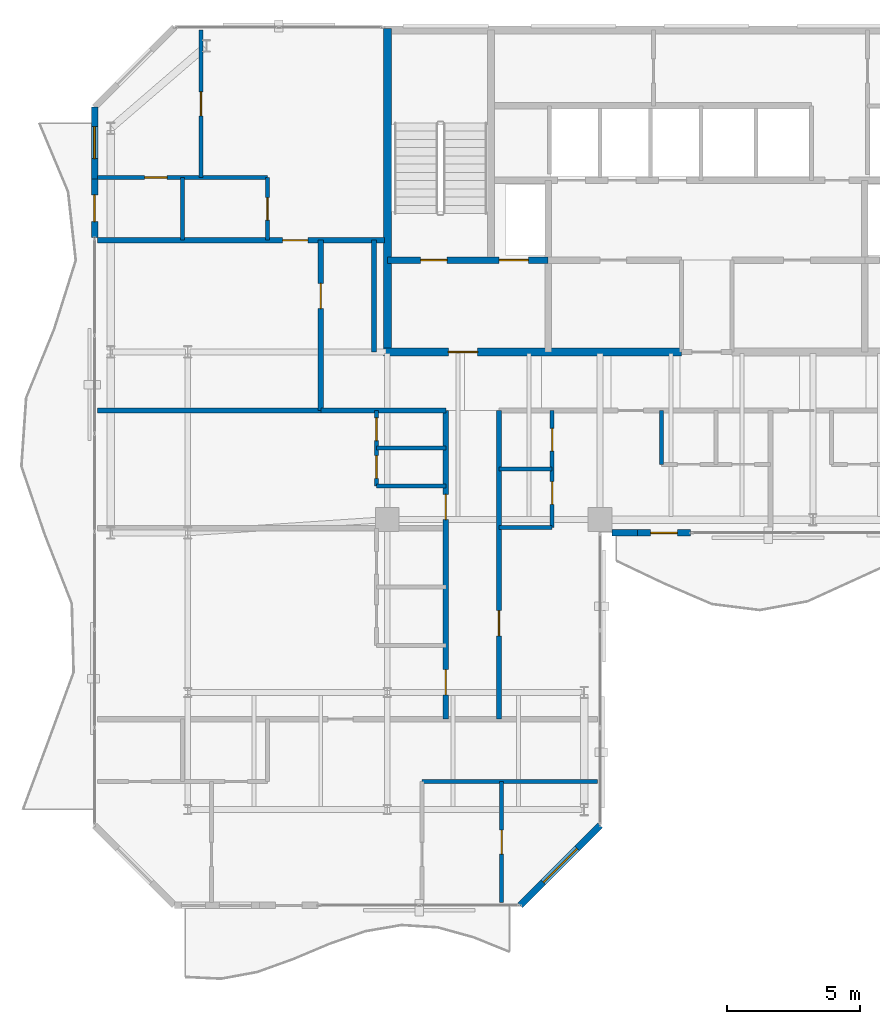
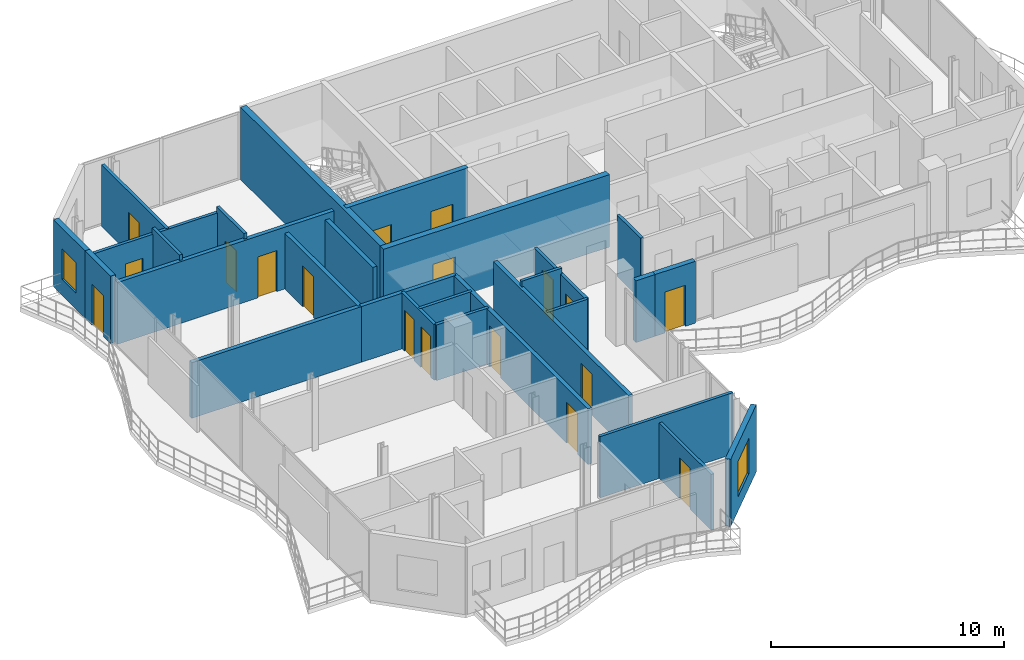
# One storey, part 18 of 22: 28 walls, 18 doors, 2 windows, 20 openings.
"""IFC4 building model written with IfcOpenShell, lengths in metres."""

from ifc_helpers import new_model, si_unit, direction, frame, frame_2d, origin, place, context, subcontext, project, spatial, rectangle, extrude, material, layer, layer_set, type_object, element, fill, save


model = new_model("IFC4")

# Units and contexts
model_context = context("Model", 3, precision=1e-05, world=origin(), true_north=direction((0.0, 1.0)))
body_context = subcontext(model_context, "Body", "Model", "MODEL_VIEW")
ifc_project = project(units=[si_unit("LENGTHUNIT", "METRE"), si_unit("AREAUNIT", "SQUARE_METRE"), si_unit("VOLUMEUNIT", "CUBIC_METRE"), si_unit("PLANEANGLEUNIT", "RADIAN"), si_unit("MASSUNIT", "GRAM", prefix="KILO")], contexts=[model_context])

# Site, building, storey
site_placement = place(None, origin())
site = spatial("IfcSite", under=ifc_project, at=site_placement, CompositionType="ELEMENT")
building_placement = place(site_placement, origin())
building = spatial("IfcBuilding", under=site, at=building_placement, Name="Catumbela Crestline Tower", CompositionType="ELEMENT")
storey_placement = place(building_placement, frame((0.0, 0.0, 233.6)))
storey = spatial("IfcBuildingStorey", under=building, at=storey_placement, Name="L60", CompositionType="ELEMENT", Elevation=233.6)

# Wall, openings, doors
ifc_material_1 = material(Name="Concrete C50/60", Category="concrete")
ifc_layer_1 = layer(ifc_material_1, 0.25, Name="Concrete C50/60")
ifc_layer_set_1 = layer_set([ifc_layer_1], Name="Concrete C50/60")
wall_type_1 = type_object("IfcWallType", Name="CW-250D", PredefinedType="SHEAR", material=ifc_layer_set_1)
wall_1_placement = place(storey_placement, frame((16.0, 34.25, 0.0), z_axis=(0.0, 0.0, 1.0), x_axis=(1.0, 0.0, 0.0)))
wall_1 = element("IfcWall", 1, at=wall_1_placement, inside=storey, type_object=wall_type_1, Name="L60 Structural Core Shear Wall ST1S", PredefinedType="SHEAR", context=body_context, shape_type="SweptSolid", body=[
    extrude(rectangle(XDim=6.05, YDim=0.25, at=frame_2d((3.025, 0.0))), origin(), (0.0, 0.0, 1.0), 3.8),
])
opening_1_placement = place(wall_1_placement, frame((1.25, 0.0, 0.0)))
opening_1 = element("IfcOpeningElement", 2, at=opening_1_placement, cuts=wall_1, Name="Opening DF9-100", PredefinedType="OPENING", context=body_context, shape_type="SweptSolid", body=[
    extrude(rectangle(XDim=1.0, YDim=2.15, at=frame_2d((0.5, 1.075))), frame((0.0, 0.135, 0.0), z_axis=(0.0, -1.0, 0.0), x_axis=(1.0, 0.0, 0.0)), (0.0, 0.0, 1.0), 0.27),
])
opening_2_placement = place(wall_1_placement, frame((4.2, 0.0, 0.0)))
opening_2 = element("IfcOpeningElement", 3, at=opening_2_placement, cuts=wall_1, Name="Opening LD-110", PredefinedType="OPENING", context=body_context, shape_type="SweptSolid", body=[
    extrude(rectangle(XDim=1.1, YDim=2.15, at=frame_2d((0.55, 1.075))), frame((0.0, 0.135, 0.0), z_axis=(0.0, -1.0, 0.0), x_axis=(1.0, 0.0, 0.0)), (0.0, 0.0, 1.0), 0.27),
])
ifc_material_2 = material(Name="Stainless steel EN 1.4401", Category="steel")
door_type_1 = type_object("IfcDoorType", Name="DF9-100", OperationType="NOTDEFINED", PredefinedType="DOOR", material=ifc_material_2)
door_1_placement = place(opening_1_placement, origin())
door_1 = element("IfcDoor", 4, at=door_1_placement, inside=storey, type_object=door_type_1, Name="L60 Interior Door DR-L60-ST01", OperationType="SINGLE_SWING_LEFT", OverallHeight=2.15, OverallWidth=1.0, PredefinedType="DOOR", context=body_context, shape_type="SweptSolid", body=[
    extrude(rectangle(XDim=1.0, YDim=2.15, at=frame_2d((0.5, 1.075))), frame((0.0, 0.025, 0.0), z_axis=(0.0, -1.0, 0.0), x_axis=(1.0, 0.0, 0.0)), (0.0, 0.0, 1.0), 0.05),
])
fill(opening_1, door_1)
door_type_2 = type_object("IfcDoorType", Name="LD-110", OperationType="NOTDEFINED", PredefinedType="DOOR", material=ifc_material_2)
door_2_placement = place(opening_2_placement, origin())
door_2 = element("IfcDoor", 5, at=door_2_placement, inside=storey, type_object=door_type_2, Name="L60 Lift Landing Sliding Door FL-01", OperationType="DOUBLE_DOOR_SLIDING", OverallHeight=2.15, OverallWidth=1.1, PredefinedType="DOOR", context=body_context, shape_type="SweptSolid", body=[
    extrude(rectangle(XDim=1.1, YDim=2.15, at=frame_2d((0.55, 1.075))), frame((0.0, 0.025, 0.0), z_axis=(0.0, -1.0, 0.0), x_axis=(1.0, 0.0, 0.0)), (0.0, 0.0, 1.0), 0.05),
])
fill(opening_2, door_2)

# Wall
ifc_material_3 = material(Name="Concrete C45/55", Category="concrete")
ifc_layer_2 = layer(ifc_material_3, 0.3, Name="Concrete C45/55")
ifc_layer_set_2 = layer_set([ifc_layer_2], Name="Concrete C45/55")
wall_type_2 = type_object("IfcWallType", Name="CW-300C", PredefinedType="SHEAR", material=ifc_layer_set_2)
wall_2_placement = place(storey_placement, frame((16.0, 30.65, 0.0), z_axis=(0.0, 0.0, 1.0), x_axis=(0.0, 1.0, 0.0)))
element("IfcWall", 6, at=wall_2_placement, inside=storey, type_object=wall_type_2, Name="L60 Structural Core Shear Wall W", PredefinedType="SHEAR", context=body_context, shape_type="SweptSolid", body=[
    extrude(rectangle(XDim=12.3, YDim=0.3, at=frame_2d((6.15, 0.0))), origin(), (0.0, 0.0, 1.0), 3.8),
])

# Wall, opening, door
wall_3_placement = place(storey_placement, frame((15.85, 30.8, 0.0), z_axis=(0.0, 0.0, 1.0), x_axis=(1.0, 0.0, 0.0)))
wall_3 = element("IfcWall", 7, at=wall_3_placement, inside=storey, type_object=wall_type_2, Name="L60 Structural Core Shear Wall SW", PredefinedType="SHEAR", context=body_context, shape_type="SweptSolid", body=[
    extrude(rectangle(XDim=11.2, YDim=0.3, at=frame_2d((5.6, 0.0))), origin(), (0.0, 0.0, 1.0), 3.8),
])
opening_3_placement = place(wall_3_placement, frame((2.45, 0.0, 0.0)))
opening_3 = element("IfcOpeningElement", 8, at=opening_3_placement, cuts=wall_3, Name="Opening DF9-110", PredefinedType="OPENING", context=body_context, shape_type="SweptSolid", body=[
    extrude(rectangle(XDim=1.1, YDim=2.15, at=frame_2d((0.55, 1.075))), frame((0.0, 0.16, 0.0), z_axis=(0.0, -1.0, 0.0), x_axis=(1.0, 0.0, 0.0)), (0.0, 0.0, 1.0), 0.32),
])
door_type_3 = type_object("IfcDoorType", Name="DF9-110", OperationType="NOTDEFINED", PredefinedType="DOOR", material=ifc_material_2)
door_3_placement = place(opening_3_placement, origin())
door_3 = element("IfcDoor", 9, at=door_3_placement, inside=storey, type_object=door_type_3, Name="L60 Interior Door DR-L60-FFW-S", OperationType="SINGLE_SWING_LEFT", OverallHeight=2.15, OverallWidth=1.1, PredefinedType="DOOR", context=body_context, shape_type="SweptSolid", body=[
    extrude(rectangle(XDim=1.1, YDim=2.15, at=frame_2d((0.55, 1.075))), frame((0.0, 0.025, 0.0), z_axis=(0.0, -1.0, 0.0), x_axis=(1.0, 0.0, 0.0)), (0.0, 0.0, 1.0), 0.05),
])
fill(opening_3, door_3)

# Walls
ifc_material_4 = material(Name="Acoustic gypsum and mineral-wool partition")
ifc_layer_3 = layer(ifc_material_4, 0.2, Name="Acoustic gypsum and mineral-wool partition")
ifc_layer_set_3 = layer_set([ifc_layer_3], Name="Acoustic gypsum and mineral-wool partition")
wall_type_3 = type_object("IfcWallType", Name="WC-200", PredefinedType="PARTITIONING", material=ifc_layer_set_3)
wall_4_placement = place(storey_placement, frame((13.5, 28.6, 0.0), z_axis=(0.0, 0.0, 1.0), x_axis=(1.0, 0.0, 0.0)))
element("IfcWall", 10, at=wall_4_placement, inside=storey, type_object=wall_type_3, Name="L60 Interior Partition PW-L60-RCWL", PredefinedType="PARTITIONING", context=body_context, shape_type="SweptSolid", body=[
    extrude(rectangle(XDim=4.7, YDim=0.2, at=frame_2d((2.35, 0.0))), origin(), (0.0, 0.0, 1.0), 2.92),
])
wall_5_placement = place(storey_placement, frame((15.5, 30.8, 0.0), z_axis=(0.0, 0.0, 1.0), x_axis=(0.0, 1.0, 0.0)))
element("IfcWall", 11, at=wall_5_placement, inside=storey, type_object=wall_type_3, Name="L60 Interior Partition PW-L60-NWFYE", PredefinedType="PARTITIONING", context=body_context, shape_type="SweptSolid", body=[
    extrude(rectangle(XDim=4.2, YDim=0.2, at=frame_2d((2.1, 0.0))), origin(), (0.0, 0.0, 1.0), 2.92),
])

# Wall, opening, door
wall_6_placement = place(storey_placement, frame((13.5, 28.6, 0.0), z_axis=(0.0, 0.0, 1.0), x_axis=(0.0, 1.0, 0.0)))
wall_6 = element("IfcWall", 12, at=wall_6_placement, inside=storey, type_object=wall_type_3, Name="L60 Interior Partition PW-L60-NWAM-ENT", PredefinedType="PARTITIONING", context=body_context, shape_type="SweptSolid", body=[
    extrude(rectangle(XDim=6.4, YDim=0.2, at=frame_2d((3.2, 0.0))), origin(), (0.0, 0.0, 1.0), 2.92),
])
opening_4_placement = place(wall_6_placement, frame((3.825, 0.0, 0.0)))
opening_4 = element("IfcOpeningElement", 13, at=opening_4_placement, cuts=wall_6, Name="Opening DF6-095", PredefinedType="OPENING", context=body_context, shape_type="SweptSolid", body=[
    extrude(rectangle(XDim=0.95, YDim=2.15, at=frame_2d((0.475, 1.075))), frame((0.0, 0.11, 0.0), z_axis=(0.0, -1.0, 0.0), x_axis=(1.0, 0.0, 0.0)), (0.0, 0.0, 1.0), 0.22),
])
ifc_material_5 = material(Name="Aluminium alloy AW-6060-T66", Category="aluminium")
door_type_4 = type_object("IfcDoorType", Name="DF6-095", OperationType="NOTDEFINED", PredefinedType="DOOR", material=ifc_material_5)
door_4_placement = place(opening_4_placement, origin())
door_4 = element("IfcDoor", 14, at=door_4_placement, inside=storey, type_object=door_type_4, Name="L60 Interior Door DR-L60-NWAM-ENT", OperationType="SINGLE_SWING_RIGHT", OverallHeight=2.15, OverallWidth=0.95, PredefinedType="DOOR", context=body_context, shape_type="SweptSolid", body=[
    extrude(rectangle(XDim=0.95, YDim=2.15, at=frame_2d((0.475, 1.075))), frame((0.0, 0.025, 0.0), z_axis=(0.0, -1.0, 0.0), x_axis=(1.0, 0.0, 0.0)), (0.0, 0.0, 1.0), 0.05),
])
fill(opening_4, door_4)

wall_7_placement = place(storey_placement, frame((5.1, 35.0, 0.0), z_axis=(0.0, 0.0, 1.0), x_axis=(1.0, 0.0, 0.0)))
wall_7 = element("IfcWall", 15, at=wall_7_placement, inside=storey, type_object=wall_type_3, Name="L60 Interior Partition PW-L60-NW1-ENT", PredefinedType="PARTITIONING", context=body_context, shape_type="SweptSolid", body=[
    extrude(rectangle(XDim=10.8, YDim=0.2, at=frame_2d((5.4, 0.0))), origin(), (0.0, 0.0, 1.0), 3.24),
])
opening_5_placement = place(wall_7_placement, frame((6.9644, 0.0, 0.0)))
opening_5 = element("IfcOpeningElement", 16, at=opening_5_placement, cuts=wall_7, Name="Opening DF6-095", PredefinedType="OPENING", context=body_context, shape_type="SweptSolid", body=[
    extrude(rectangle(XDim=0.95, YDim=2.15, at=frame_2d((0.475, 1.075))), frame((0.0, 0.11, 0.0), z_axis=(0.0, -1.0, 0.0), x_axis=(1.0, 0.0, 0.0)), (0.0, 0.0, 1.0), 0.22),
])
door_5_placement = place(opening_5_placement, origin())
door_5 = element("IfcDoor", 17, at=door_5_placement, inside=storey, type_object=door_type_4, Name="L60 Interior Door DR-L60-NW1-ENT", OperationType="SINGLE_SWING_LEFT", OverallHeight=2.15, OverallWidth=0.95, PredefinedType="DOOR", context=body_context, shape_type="SweptSolid", body=[
    extrude(rectangle(XDim=0.95, YDim=2.15, at=frame_2d((0.475, 1.075))), frame((0.0, 0.025, 0.0), z_axis=(0.0, -1.0, 0.0), x_axis=(1.0, 0.0, 0.0)), (0.0, 0.0, 1.0), 0.05),
])
fill(opening_5, door_5)

# Wall, openings, doors
wall_8_placement = place(storey_placement, frame((18.2, 17.0, 0.0), z_axis=(0.0, 0.0, 1.0), x_axis=(0.0, 1.0, 0.0)))
wall_8 = element("IfcWall", 18, at=wall_8_placement, inside=storey, type_object=wall_type_3, Name="L60 Interior Partition PW-L60-WL1-ENT", PredefinedType="PARTITIONING", context=body_context, shape_type="SweptSolid", body=[
    extrude(rectangle(XDim=11.6, YDim=0.2, at=frame_2d((5.8, 0.0))), origin(), (0.0, 0.0, 1.0), 2.92),
])
opening_6_placement = place(wall_8_placement, frame((7.493, 0.0, 0.0)))
opening_6 = element("IfcOpeningElement", 19, at=opening_6_placement, cuts=wall_8, Name="Opening DF6-095", PredefinedType="OPENING", context=body_context, shape_type="SweptSolid", body=[
    extrude(rectangle(XDim=0.95, YDim=2.15, at=frame_2d((0.475, 1.075))), frame((0.0, 0.11, 0.0), z_axis=(0.0, -1.0, 0.0), x_axis=(1.0, 0.0, 0.0)), (0.0, 0.0, 1.0), 0.22),
])
opening_7_placement = place(wall_8_placement, frame((0.909, 0.0, 0.0)))
opening_7 = element("IfcOpeningElement", 20, at=opening_7_placement, cuts=wall_8, Name="Opening DF6-095", PredefinedType="OPENING", context=body_context, shape_type="SweptSolid", body=[
    extrude(rectangle(XDim=0.95, YDim=2.15, at=frame_2d((0.475, 1.075))), frame((0.0, 0.11, 0.0), z_axis=(0.0, -1.0, 0.0), x_axis=(1.0, 0.0, 0.0)), (0.0, 0.0, 1.0), 0.22),
])
door_6_placement = place(opening_6_placement, origin())
door_6 = element("IfcDoor", 21, at=door_6_placement, inside=storey, type_object=door_type_4, Name="L60 Interior Door DR-L60-WL1-ENT", OperationType="SINGLE_SWING_RIGHT", OverallHeight=2.15, OverallWidth=0.95, PredefinedType="DOOR", context=body_context, shape_type="SweptSolid", body=[
    extrude(rectangle(XDim=0.95, YDim=2.15, at=frame_2d((0.475, 1.075))), frame((0.0, 0.025, 0.0), z_axis=(0.0, -1.0, 0.0), x_axis=(1.0, 0.0, 0.0)), (0.0, 0.0, 1.0), 0.05),
])
fill(opening_6, door_6)
door_7_placement = place(opening_7_placement, origin())
door_7 = element("IfcDoor", 22, at=door_7_placement, inside=storey, type_object=door_type_4, Name="L60 Interior Door DR-L60-WL2-ENT", OperationType="SINGLE_SWING_RIGHT", OverallHeight=2.15, OverallWidth=0.95, PredefinedType="DOOR", context=body_context, shape_type="SweptSolid", body=[
    extrude(rectangle(XDim=0.95, YDim=2.15, at=frame_2d((0.475, 1.075))), frame((0.0, 0.025, 0.0), z_axis=(0.0, -1.0, 0.0), x_axis=(1.0, 0.0, 0.0)), (0.0, 0.0, 1.0), 0.05),
])
fill(opening_7, door_7)

# Wall, opening, door
wall_9_placement = place(storey_placement, frame((20.2, 17.0, 0.0), z_axis=(0.0, 0.0, 1.0), x_axis=(0.0, 1.0, 0.0)))
wall_9 = element("IfcWall", 23, at=wall_9_placement, inside=storey, type_object=wall_type_3, Name="L60 Interior Partition PW-L60-WR1-ENT", PredefinedType="PARTITIONING", context=body_context, shape_type="SweptSolid", body=[
    extrude(rectangle(XDim=11.6, YDim=0.2, at=frame_2d((5.8, 0.0))), origin(), (0.0, 0.0, 1.0), 2.92),
])
opening_8_placement = place(wall_9_placement, frame((3.125, 0.0, 0.0)))
opening_8 = element("IfcOpeningElement", 24, at=opening_8_placement, cuts=wall_9, Name="Opening DF6-095", PredefinedType="OPENING", context=body_context, shape_type="SweptSolid", body=[
    extrude(rectangle(XDim=0.95, YDim=2.15, at=frame_2d((0.475, 1.075))), frame((0.0, 0.11, 0.0), z_axis=(0.0, -1.0, 0.0), x_axis=(1.0, 0.0, 0.0)), (0.0, 0.0, 1.0), 0.22),
])
door_8_placement = place(opening_8_placement, origin())
door_8 = element("IfcDoor", 25, at=door_8_placement, inside=storey, type_object=door_type_4, Name="L60 Interior Door DR-L60-WR1-ENT", OperationType="SINGLE_SWING_LEFT", OverallHeight=2.15, OverallWidth=0.95, PredefinedType="DOOR", context=body_context, shape_type="SweptSolid", body=[
    extrude(rectangle(XDim=0.95, YDim=2.15, at=frame_2d((0.475, 1.075))), frame((0.0, 0.025, 0.0), z_axis=(0.0, -1.0, 0.0), x_axis=(1.0, 0.0, 0.0)), (0.0, 0.0, 1.0), 0.05),
])
fill(opening_8, door_8)

# Wall, opening, window
ifc_material_6 = material(Name="Angolan grey-ochre granite", Category="masonry")
ifc_layer_4 = layer(ifc_material_6, 0.25, Name="Angolan grey-ochre granite")
ifc_layer_set_4 = layer_set([ifc_layer_4], Name="Angolan grey-ochre granite")
wall_type_4 = type_object("IfcWallType", Name="WE-250", PredefinedType="STANDARD", material=ifc_layer_set_4)
wall_10_placement = place(storey_placement, frame((21.0, 10.0, 0.0), z_axis=(0.0, 0.0, 1.0), x_axis=(0.707106781187, 0.707106781187, 0.0)))
wall_10 = element("IfcWall", 26, at=wall_10_placement, inside=storey, type_object=wall_type_4, Name="L60 Granite Punched Window Wall 1-1", PredefinedType="STANDARD", context=body_context, shape_type="SweptSolid", body=[
    extrude(rectangle(XDim=4.2426, YDim=0.25, at=frame_2d((2.1213, 0.0))), origin(), (0.0, 0.0, 1.0), 3.53),
])
opening_9_placement = place(wall_10_placement, frame((1.2213, 0.0, 0.75)))
opening_9 = element("IfcOpeningElement", 27, at=opening_9_placement, cuts=wall_10, Name="Opening WN-01", PredefinedType="OPENING", context=body_context, shape_type="SweptSolid", body=[
    extrude(rectangle(XDim=1.8, YDim=1.85, at=frame_2d((0.9, 0.925))), frame((0.0, 0.135, 0.0), z_axis=(0.0, -1.0, 0.0), x_axis=(1.0, 0.0, 0.0)), (0.0, 0.0, 1.0), 0.27),
])
ifc_material_7 = material(Name="Low-E laminated solar-control double glazing", Category="glass")
window_type_1 = type_object("IfcWindowType", Name="WF-1800", PartitioningType="SINGLE_PANEL", PredefinedType="WINDOW", material=ifc_material_7)
window_1_placement = place(opening_9_placement, origin())
window_1 = element("IfcWindow", 28, at=window_1_placement, inside=storey, type_object=window_type_1, Name="L60 Facade Vision Window 431", OverallHeight=1.85, OverallWidth=1.8, PartitioningType="SINGLE_PANEL", PredefinedType="WINDOW", context=body_context, shape_type="SweptSolid", body=[
    extrude(rectangle(XDim=1.8, YDim=1.85, at=frame_2d((0.9, 0.925))), frame((0.0, 0.03, 0.0), z_axis=(0.0, -1.0, 0.0), x_axis=(1.0, 0.0, 0.0)), (0.0, 0.0, 1.0), 0.06),
])
fill(opening_9, window_1)

# Wall, opening, door
wall_11_placement = place(storey_placement, frame((25.4, 24.0, 0.0), z_axis=(0.0, 0.0, 1.0), x_axis=(1.0, 0.0, 0.0)))
wall_11 = element("IfcWall", 29, at=wall_11_placement, inside=storey, type_object=wall_type_4, Name="L60 Exterior Threshold Portal Wall DR-L60-WBAL-1", PredefinedType="STANDARD", context=body_context, shape_type="SweptSolid", body=[
    extrude(rectangle(XDim=2.0, YDim=0.25, at=frame_2d((1.0, 0.0))), origin(), (0.0, 0.0, 1.0), 3.24),
])
opening_10_placement = place(wall_11_placement, frame((0.5, 0.0, 0.0)))
opening_10 = element("IfcOpeningElement", 30, at=opening_10_placement, cuts=wall_11, Name="Opening DB-L60-1", PredefinedType="OPENING", context=body_context, shape_type="SweptSolid", body=[
    extrude(rectangle(XDim=1.0, YDim=2.15, at=frame_2d((0.5, 1.075))), frame((0.0, 0.135, 0.0), z_axis=(0.0, -1.0, 0.0), x_axis=(1.0, 0.0, 0.0)), (0.0, 0.0, 1.0), 0.27),
])
door_type_5 = type_object("IfcDoorType", Name="DB-1000", OperationType="NOTDEFINED", PredefinedType="DOOR", material=ifc_material_5)
door_9_placement = place(opening_10_placement, origin())
door_9 = element("IfcDoor", 31, at=door_9_placement, inside=storey, type_object=door_type_5, Name="L60 Wave Balcony Terrace Door 1", OperationType="SINGLE_SWING_RIGHT", OverallHeight=2.15, OverallWidth=1.0, PredefinedType="DOOR", context=body_context, shape_type="SweptSolid", body=[
    extrude(rectangle(XDim=1.0, YDim=2.15, at=frame_2d((0.5, 1.075))), frame((0.0, 0.025, 0.0), z_axis=(0.0, -1.0, 0.0), x_axis=(1.0, 0.0, 0.0)), (0.0, 0.0, 1.0), 0.05),
])
fill(opening_10, door_9)

# Wall
wall_12_placement = place(storey_placement, frame((24.45, 24.0, 0.0), z_axis=(0.0, 0.0, 1.0), x_axis=(1.0, 0.0, 0.0)))
element("IfcWall", 32, at=wall_12_placement, inside=storey, type_object=wall_type_4, Name="L60 Granite Punched Window Wall 3-1", PredefinedType="STANDARD", context=body_context, shape_type="SweptSolid", body=[
    extrude(rectangle(XDim=0.95, YDim=0.25, at=frame_2d((0.475, 0.0))), origin(), (0.0, 0.0, 1.0), 3.24),
])

# Wall, opening, door
wall_13_placement = place(storey_placement, frame((5.0, 37.3, 0.0), z_axis=(0.0, 0.0, 1.0), x_axis=(0.0, -1.0, 0.0)))
wall_13 = element("IfcWall", 33, at=wall_13_placement, inside=storey, type_object=wall_type_4, Name="L60 Exterior Threshold Portal Wall DR-L60-WBAL-4", PredefinedType="STANDARD", context=body_context, shape_type="SweptSolid", body=[
    extrude(rectangle(XDim=2.2, YDim=0.25, at=frame_2d((1.1, 0.0))), origin(), (0.0, 0.0, 1.0), 3.53),
])
opening_11_placement = place(wall_13_placement, frame((0.6, 0.0, 0.0)))
opening_11 = element("IfcOpeningElement", 34, at=opening_11_placement, cuts=wall_13, Name="Opening DB-L60-4", PredefinedType="OPENING", context=body_context, shape_type="SweptSolid", body=[
    extrude(rectangle(XDim=1.0, YDim=2.15, at=frame_2d((0.5, 1.075))), frame((0.0, 0.135, 0.0), z_axis=(0.0, -1.0, 0.0), x_axis=(1.0, 0.0, 0.0)), (0.0, 0.0, 1.0), 0.27),
])
door_10_placement = place(opening_11_placement, origin())
door_10 = element("IfcDoor", 35, at=door_10_placement, inside=storey, type_object=door_type_5, Name="L60 Wave Balcony Terrace Door 4", OperationType="SINGLE_SWING_LEFT", OverallHeight=2.15, OverallWidth=1.0, PredefinedType="DOOR", context=body_context, shape_type="SweptSolid", body=[
    extrude(rectangle(XDim=1.0, YDim=2.15, at=frame_2d((0.5, 1.075))), frame((0.0, 0.025, 0.0), z_axis=(0.0, -1.0, 0.0), x_axis=(1.0, 0.0, 0.0)), (0.0, 0.0, 1.0), 0.05),
])
fill(opening_11, door_10)

# Wall, opening, window
wall_14_placement = place(storey_placement, frame((5.0, 40.0, 0.0), z_axis=(0.0, 0.0, 1.0), x_axis=(0.0, -1.0, 0.0)))
wall_14 = element("IfcWall", 36, at=wall_14_placement, inside=storey, type_object=wall_type_4, Name="L60 Granite Punched Window Wall 9-1", PredefinedType="STANDARD", context=body_context, shape_type="SweptSolid", body=[
    extrude(rectangle(XDim=2.7, YDim=0.25, at=frame_2d((1.35, 0.0))), origin(), (0.0, 0.0, 1.0), 3.53),
])
opening_12_placement = place(wall_14_placement, frame((0.735, 0.0, 0.85)))
opening_12 = element("IfcOpeningElement", 37, at=opening_12_placement, cuts=wall_14, Name="Opening WN-02", PredefinedType="OPENING", context=body_context, shape_type="SweptSolid", body=[
    extrude(rectangle(XDim=1.2, YDim=1.6, at=frame_2d((0.6, 0.8))), frame((0.0, 0.135, 0.0), z_axis=(0.0, -1.0, 0.0), x_axis=(1.0, 0.0, 0.0)), (0.0, 0.0, 1.0), 0.27),
])
window_type_2 = type_object("IfcWindowType", Name="WO-1200", PartitioningType="SINGLE_PANEL", PredefinedType="WINDOW", material=ifc_material_7)
window_2_placement = place(opening_12_placement, origin())
window_2 = element("IfcWindow", 38, at=window_2_placement, inside=storey, type_object=window_type_2, Name="L60 Facade Vision Window 438", OverallHeight=1.6, OverallWidth=1.2, PartitioningType="SINGLE_PANEL", PredefinedType="WINDOW", context=body_context, shape_type="SweptSolid", body=[
    extrude(rectangle(XDim=1.2, YDim=1.6, at=frame_2d((0.6, 0.8))), frame((0.0, 0.03, 0.0), z_axis=(0.0, -1.0, 0.0), x_axis=(1.0, 0.0, 0.0)), (0.0, 0.0, 1.0), 0.06),
])
fill(opening_12, window_2)

# Wall, opening, door
ifc_layer_5 = layer(ifc_material_4, 0.15, Name="Acoustic gypsum and mineral-wool partition")
ifc_layer_set_5 = layer_set([ifc_layer_5], Name="Acoustic gypsum and mineral-wool partition")
wall_type_5 = type_object("IfcWallType", Name="WP-150", PredefinedType="PARTITIONING", material=ifc_layer_set_5)
wall_15_placement = place(storey_placement, frame((11.5, 35.0, 0.0), z_axis=(0.0, 0.0, 1.0), x_axis=(0.0, 1.0, 0.0)))
wall_15 = element("IfcWall", 39, at=wall_15_placement, inside=storey, type_object=wall_type_5, Name="L60 Interior Partition PW-L60-NW1-KBE", PredefinedType="PARTITIONING", context=body_context, shape_type="SweptSolid", body=[
    extrude(rectangle(XDim=2.35, YDim=0.15, at=frame_2d((1.175, 0.0))), origin(), (0.0, 0.0, 1.0), 3.53),
])
opening_13_placement = place(wall_15_placement, frame((0.75, 0.0, 0.0)))
opening_13 = element("IfcOpeningElement", 40, at=opening_13_placement, cuts=wall_15, Name="Opening DI-085", PredefinedType="OPENING", context=body_context, shape_type="SweptSolid", body=[
    extrude(rectangle(XDim=0.85, YDim=2.15, at=frame_2d((0.425, 1.075))), frame((0.0, 0.085, 0.0), z_axis=(0.0, -1.0, 0.0), x_axis=(1.0, 0.0, 0.0)), (0.0, 0.0, 1.0), 0.17),
])
door_type_6 = type_object("IfcDoorType", Name="DI-085", OperationType="NOTDEFINED", PredefinedType="DOOR", material=ifc_material_5)
door_11_placement = place(opening_13_placement, origin())
door_11 = element("IfcDoor", 41, at=door_11_placement, inside=storey, type_object=door_type_6, Name="L60 Interior Door DR-L60-NW1-BTH", OperationType="SINGLE_SWING_LEFT", OverallHeight=2.15, OverallWidth=0.85, PredefinedType="DOOR", context=body_context, shape_type="SweptSolid", body=[
    extrude(rectangle(XDim=0.85, YDim=2.15, at=frame_2d((0.425, 1.075))), frame((0.0, 0.025, 0.0), z_axis=(0.0, -1.0, 0.0), x_axis=(1.0, 0.0, 0.0)), (0.0, 0.0, 1.0), 0.05),
])
fill(opening_13, door_11)

# Wall
wall_16_placement = place(storey_placement, frame((8.3, 35.0, 0.0), z_axis=(0.0, 0.0, 1.0), x_axis=(0.0, 1.0, 0.0)))
element("IfcWall", 42, at=wall_16_placement, inside=storey, type_object=wall_type_5, Name="L60 Interior Partition PW-L60-NW1-KBM", PredefinedType="PARTITIONING", context=body_context, shape_type="SweptSolid", body=[
    extrude(rectangle(XDim=2.35, YDim=0.15, at=frame_2d((1.175, 0.0))), origin(), (0.0, 0.0, 1.0), 3.53),
])

# Wall, opening, door
wall_17_placement = place(storey_placement, frame((5.1, 37.35, 0.0), z_axis=(0.0, 0.0, 1.0), x_axis=(1.0, 0.0, 0.0)))
wall_17 = element("IfcWall", 43, at=wall_17_placement, inside=storey, type_object=wall_type_5, Name="L60 Interior Partition PW-L60-NW1-KBD1", PredefinedType="PARTITIONING", context=body_context, shape_type="SweptSolid", body=[
    extrude(rectangle(XDim=6.4, YDim=0.15, at=frame_2d((3.2, 0.0))), origin(), (0.0, 0.0, 1.0), 3.24),
])
opening_14_placement = place(wall_17_placement, frame((1.7795, 0.0, 0.0)))
opening_14 = element("IfcOpeningElement", 44, at=opening_14_placement, cuts=wall_17, Name="Opening DI-085", PredefinedType="OPENING", context=body_context, shape_type="SweptSolid", body=[
    extrude(rectangle(XDim=0.85, YDim=2.15, at=frame_2d((0.425, 1.075))), frame((0.0, 0.085, 0.0), z_axis=(0.0, -1.0, 0.0), x_axis=(1.0, 0.0, 0.0)), (0.0, 0.0, 1.0), 0.17),
])
door_12_placement = place(opening_14_placement, origin())
door_12 = element("IfcDoor", 45, at=door_12_placement, inside=storey, type_object=door_type_6, Name="L60 Interior Door DR-L60-NW1-KIT", OperationType="SINGLE_SWING_LEFT", OverallHeight=2.15, OverallWidth=0.85, PredefinedType="DOOR", context=body_context, shape_type="SweptSolid", body=[
    extrude(rectangle(XDim=0.85, YDim=2.15, at=frame_2d((0.425, 1.075))), frame((0.0, 0.025, 0.0), z_axis=(0.0, -1.0, 0.0), x_axis=(1.0, 0.0, 0.0)), (0.0, 0.0, 1.0), 0.05),
])
fill(opening_14, door_12)

wall_18_placement = place(storey_placement, frame((9.0, 37.35, 0.0), z_axis=(0.0, 0.0, 1.0), x_axis=(0.0, 1.0, 0.0)))
wall_18 = element("IfcWall", 46, at=wall_18_placement, inside=storey, type_object=wall_type_5, Name="L60 Interior Partition PW-L60-NW1-BD1W", PredefinedType="PARTITIONING", context=body_context, shape_type="SweptSolid", body=[
    extrude(rectangle(XDim=5.55, YDim=0.15, at=frame_2d((2.775, 0.0))), origin(), (0.0, 0.0, 1.0), 3.24),
])
opening_15_placement = place(wall_18_placement, frame((2.325, 0.0, 0.0)))
opening_15 = element("IfcOpeningElement", 47, at=opening_15_placement, cuts=wall_18, Name="Opening DI-090", PredefinedType="OPENING", context=body_context, shape_type="SweptSolid", body=[
    extrude(rectangle(XDim=0.9, YDim=2.15, at=frame_2d((0.45, 1.075))), frame((0.0, 0.085, 0.0), z_axis=(0.0, -1.0, 0.0), x_axis=(1.0, 0.0, 0.0)), (0.0, 0.0, 1.0), 0.17),
])
door_type_7 = type_object("IfcDoorType", Name="DI-090", OperationType="NOTDEFINED", PredefinedType="DOOR", material=ifc_material_5)
door_13_placement = place(opening_15_placement, origin())
door_13 = element("IfcDoor", 48, at=door_13_placement, inside=storey, type_object=door_type_7, Name="L60 Interior Door DR-L60-NW1-BD1", OperationType="SINGLE_SWING_LEFT", OverallHeight=2.15, OverallWidth=0.9, PredefinedType="DOOR", context=body_context, shape_type="SweptSolid", body=[
    extrude(rectangle(XDim=0.9, YDim=2.15, at=frame_2d((0.45, 1.075))), frame((0.0, 0.025, 0.0), z_axis=(0.0, -1.0, 0.0), x_axis=(1.0, 0.0, 0.0)), (0.0, 0.0, 1.0), 0.05),
])
fill(opening_15, door_13)

# Walls
wall_19_placement = place(storey_placement, frame((26.3, 26.576, 0.0), z_axis=(0.0, 0.0, 1.0), x_axis=(0.0, 1.0, 0.0)))
element("IfcWall", 49, at=wall_19_placement, inside=storey, type_object=wall_type_5, Name="L60 Interior Partition PW-L60-S1-KBW", PredefinedType="PARTITIONING", context=body_context, shape_type="SweptSolid", body=[
    extrude(rectangle(XDim=2.024, YDim=0.15, at=frame_2d((1.012, 0.0))), origin(), (0.0, 0.0, 1.0), 3.22),
])
for number, where, z_axis, x_axis, name in (
    (50, (15.6, 25.768, 0.0), (0.0, 0.0, 1.0), (1.0, 0.0, 0.0), "L60 Interior Partition PW-L60-WL1-KBS"),
    (51, (15.6, 27.184, 0.0), (0.0, 0.0, 1.0), (1.0, 0.0, 0.0), "L60 Interior Partition PW-L60-WL1-KBM"),
):
    element("IfcWall", number, at=place(storey_placement, frame(where, z_axis=z_axis, x_axis=x_axis)), inside=storey, type_object=wall_type_5, Name=name, PredefinedType="PARTITIONING", context=body_context, shape_type="SweptSolid", body=[
        extrude(rectangle(XDim=2.6, YDim=0.15, at=frame_2d((1.3, 0.0))), origin(), (0.0, 0.0, 1.0), 2.92),
    ])

# Wall, openings, doors
wall_20_placement = place(storey_placement, frame((15.6, 25.768, 0.0), z_axis=(0.0, 0.0, 1.0), x_axis=(0.0, 1.0, 0.0)))
wall_20 = element("IfcWall", 52, at=wall_20_placement, inside=storey, type_object=wall_type_5, Name="L60 Interior Partition PW-L60-WL1-SK1", PredefinedType="PARTITIONING", context=body_context, shape_type="SweptSolid", body=[
    extrude(rectangle(XDim=2.832, YDim=0.15, at=frame_2d((1.416, 0.0))), origin(), (0.0, 0.0, 1.0), 2.92),
])
opening_16_placement = place(wall_20_placement, frame((0.283, 0.0, 0.0)))
opening_16 = element("IfcOpeningElement", 53, at=opening_16_placement, cuts=wall_20, Name="Opening DI-085", PredefinedType="OPENING", context=body_context, shape_type="SweptSolid", body=[
    extrude(rectangle(XDim=0.85, YDim=2.15, at=frame_2d((0.425, 1.075))), frame((0.0, 0.085, 0.0), z_axis=(0.0, -1.0, 0.0), x_axis=(1.0, 0.0, 0.0)), (0.0, 0.0, 1.0), 0.17),
])
opening_17_placement = place(wall_20_placement, frame((1.699, 0.0, 0.0)))
opening_17 = element("IfcOpeningElement", 54, at=opening_17_placement, cuts=wall_20, Name="Opening DI-085", PredefinedType="OPENING", context=body_context, shape_type="SweptSolid", body=[
    extrude(rectangle(XDim=0.85, YDim=2.15, at=frame_2d((0.425, 1.075))), frame((0.0, 0.085, 0.0), z_axis=(0.0, -1.0, 0.0), x_axis=(1.0, 0.0, 0.0)), (0.0, 0.0, 1.0), 0.17),
])
door_14_placement = place(opening_16_placement, origin())
door_14 = element("IfcDoor", 55, at=door_14_placement, inside=storey, type_object=door_type_6, Name="L60 Interior Door DR-L60-WL1-KIT", OperationType="SINGLE_SWING_LEFT", OverallHeight=2.15, OverallWidth=0.85, PredefinedType="DOOR", context=body_context, shape_type="SweptSolid", body=[
    extrude(rectangle(XDim=0.85, YDim=2.15, at=frame_2d((0.425, 1.075))), frame((0.0, 0.025, 0.0), z_axis=(0.0, -1.0, 0.0), x_axis=(1.0, 0.0, 0.0)), (0.0, 0.0, 1.0), 0.05),
])
fill(opening_16, door_14)
door_15_placement = place(opening_17_placement, origin())
door_15 = element("IfcDoor", 56, at=door_15_placement, inside=storey, type_object=door_type_6, Name="L60 Interior Door DR-L60-WL1-BTH", OperationType="SINGLE_SWING_RIGHT", OverallHeight=2.15, OverallWidth=0.85, PredefinedType="DOOR", context=body_context, shape_type="SweptSolid", body=[
    extrude(rectangle(XDim=0.85, YDim=2.15, at=frame_2d((0.425, 1.075))), frame((0.0, 0.025, 0.0), z_axis=(0.0, -1.0, 0.0), x_axis=(1.0, 0.0, 0.0)), (0.0, 0.0, 1.0), 0.05),
])
fill(opening_17, door_15)

# Walls
wall_21_placement = place(storey_placement, frame((20.2, 24.2, 0.0), z_axis=(0.0, 0.0, 1.0), x_axis=(1.0, 0.0, 0.0)))
element("IfcWall", 57, at=wall_21_placement, inside=storey, type_object=wall_type_5, Name="L60 Interior Partition PW-L60-WR1-KBS", PredefinedType="PARTITIONING", context=body_context, shape_type="SweptSolid", body=[
    extrude(rectangle(XDim=2.0, YDim=0.15, at=frame_2d((1.0, 0.0))), origin(), (0.0, 0.0, 1.0), 2.92),
])
wall_22_placement = place(storey_placement, frame((20.2, 26.4, 0.0), z_axis=(0.0, 0.0, 1.0), x_axis=(1.0, 0.0, 0.0)))
element("IfcWall", 58, at=wall_22_placement, inside=storey, type_object=wall_type_5, Name="L60 Interior Partition PW-L60-WR1-KBM", PredefinedType="PARTITIONING", context=body_context, shape_type="SweptSolid", body=[
    extrude(rectangle(XDim=2.0, YDim=0.15, at=frame_2d((1.0, 0.0))), origin(), (0.0, 0.0, 1.0), 3.22),
])

# Wall, openings, doors
wall_23_placement = place(storey_placement, frame((22.2, 24.2, 0.0), z_axis=(0.0, 0.0, 1.0), x_axis=(0.0, 1.0, 0.0)))
wall_23 = element("IfcWall", 59, at=wall_23_placement, inside=storey, type_object=wall_type_5, Name="L60 Interior Partition PW-L60-WR1-SK1", PredefinedType="PARTITIONING", context=body_context, shape_type="SweptSolid", body=[
    extrude(rectangle(XDim=4.4, YDim=0.15, at=frame_2d((2.2, 0.0))), origin(), (0.0, 0.0, 1.0), 2.92),
])
opening_18_placement = place(wall_23_placement, frame((0.8733, 0.0, 0.0)))
opening_18 = element("IfcOpeningElement", 60, at=opening_18_placement, cuts=wall_23, Name="Opening DI-085", PredefinedType="OPENING", context=body_context, shape_type="SweptSolid", body=[
    extrude(rectangle(XDim=0.85, YDim=2.15, at=frame_2d((0.425, 1.075))), frame((0.0, 0.085, 0.0), z_axis=(0.0, -1.0, 0.0), x_axis=(1.0, 0.0, 0.0)), (0.0, 0.0, 1.0), 0.17),
])
opening_19_placement = place(wall_23_placement, frame((2.875, 0.0, 0.0)))
opening_19 = element("IfcOpeningElement", 61, at=opening_19_placement, cuts=wall_23, Name="Opening DI-085", PredefinedType="OPENING", context=body_context, shape_type="SweptSolid", body=[
    extrude(rectangle(XDim=0.85, YDim=2.15, at=frame_2d((0.425, 1.075))), frame((0.0, 0.085, 0.0), z_axis=(0.0, -1.0, 0.0), x_axis=(1.0, 0.0, 0.0)), (0.0, 0.0, 1.0), 0.17),
])
door_16_placement = place(opening_18_placement, origin())
door_16 = element("IfcDoor", 62, at=door_16_placement, inside=storey, type_object=door_type_6, Name="L60 Interior Door DR-L60-WR1-KIT", OperationType="SINGLE_SWING_LEFT", OverallHeight=2.15, OverallWidth=0.85, PredefinedType="DOOR", context=body_context, shape_type="SweptSolid", body=[
    extrude(rectangle(XDim=0.85, YDim=2.15, at=frame_2d((0.425, 1.075))), frame((0.0, 0.025, 0.0), z_axis=(0.0, -1.0, 0.0), x_axis=(1.0, 0.0, 0.0)), (0.0, 0.0, 1.0), 0.05),
])
fill(opening_18, door_16)
door_17_placement = place(opening_19_placement, origin())
door_17 = element("IfcDoor", 63, at=door_17_placement, inside=storey, type_object=door_type_6, Name="L60 Interior Door DR-L60-WR1-BTH", OperationType="SINGLE_SWING_RIGHT", OverallHeight=2.15, OverallWidth=0.85, PredefinedType="DOOR", context=body_context, shape_type="SweptSolid", body=[
    extrude(rectangle(XDim=0.85, YDim=2.15, at=frame_2d((0.425, 1.075))), frame((0.0, 0.025, 0.0), z_axis=(0.0, -1.0, 0.0), x_axis=(1.0, 0.0, 0.0)), (0.0, 0.0, 1.0), 0.05),
])
fill(opening_19, door_17)

# Wall
wall_24_placement = place(storey_placement, frame((17.3, 14.65, 0.0), z_axis=(0.0, 0.0, 1.0), x_axis=(1.0, 0.0, 0.0)))
element("IfcWall", 64, at=wall_24_placement, inside=storey, type_object=wall_type_5, Name="L60 Interior Partition PW-L60-SH1-BDRH", PredefinedType="PARTITIONING", context=body_context, shape_type="SweptSolid", body=[
    extrude(rectangle(XDim=6.6, YDim=0.15, at=frame_2d((3.3, 0.0))), origin(), (0.0, 0.0, 1.0), 3.22),
])

# Wall, opening, door
wall_25_placement = place(storey_placement, frame((20.3, 10.1, 0.0), z_axis=(0.0, 0.0, 1.0), x_axis=(0.0, 1.0, 0.0)))
wall_25 = element("IfcWall", 65, at=wall_25_placement, inside=storey, type_object=wall_type_5, Name="L60 Interior Partition PW-L60-SH1-BDR", PredefinedType="PARTITIONING", context=body_context, shape_type="SweptSolid", body=[
    extrude(rectangle(XDim=4.55, YDim=0.15, at=frame_2d((2.275, 0.0))), origin(), (0.0, 0.0, 1.0), 2.92),
])
opening_20_placement = place(wall_25_placement, frame((1.825, 0.0, 0.0)))
opening_20 = element("IfcOpeningElement", 66, at=opening_20_placement, cuts=wall_25, Name="Opening DI-090", PredefinedType="OPENING", context=body_context, shape_type="SweptSolid", body=[
    extrude(rectangle(XDim=0.9, YDim=2.15, at=frame_2d((0.45, 1.075))), frame((0.0, 0.085, 0.0), z_axis=(0.0, -1.0, 0.0), x_axis=(1.0, 0.0, 0.0)), (0.0, 0.0, 1.0), 0.17),
])
door_18_placement = place(opening_20_placement, origin())
door_18 = element("IfcDoor", 67, at=door_18_placement, inside=storey, type_object=door_type_7, Name="L60 Interior Door DR-L60-SH1-BD2", OperationType="SINGLE_SWING_RIGHT", OverallHeight=2.15, OverallWidth=0.9, PredefinedType="DOOR", context=body_context, shape_type="SweptSolid", body=[
    extrude(rectangle(XDim=0.9, YDim=2.15, at=frame_2d((0.45, 1.075))), frame((0.0, 0.025, 0.0), z_axis=(0.0, -1.0, 0.0), x_axis=(1.0, 0.0, 0.0)), (0.0, 0.0, 1.0), 0.05),
])
fill(opening_20, door_18)

# Wall
ifc_layer_6 = layer(ifc_material_4, 0.2, Name="Acoustic gypsum and mineral-wool partition")
ifc_layer_set_6 = layer_set([ifc_layer_6], Name="Acoustic gypsum and mineral-wool partition")
wall_type_6 = type_object("IfcWallType", Name="WY-200", PredefinedType="PARTITIONING", material=ifc_layer_set_6)
wall_26_placement = place(storey_placement, frame((5.1, 28.6, 0.0), z_axis=(0.0, 0.0, 1.0), x_axis=(1.0, 0.0, 0.0)))
element("IfcWall", 68, at=wall_26_placement, inside=storey, type_object=wall_type_6, Name="L60 Interior Partition PW-L60-RCWNW", PredefinedType="PARTITIONING", context=body_context, shape_type="SweptSolid", body=[
    extrude(rectangle(XDim=8.4, YDim=0.2, at=frame_2d((4.2, 0.0))), origin(), (0.0, 0.0, 1.0), 2.92),
])

save(model, "model.ifc")
